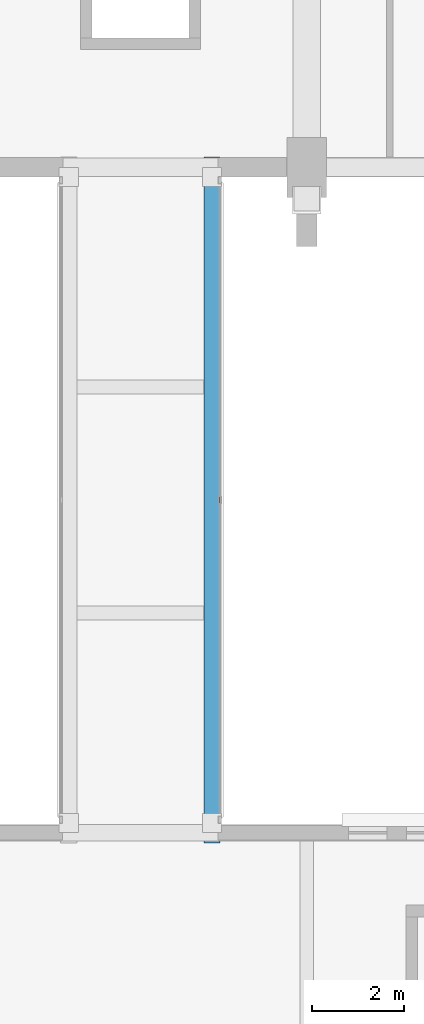
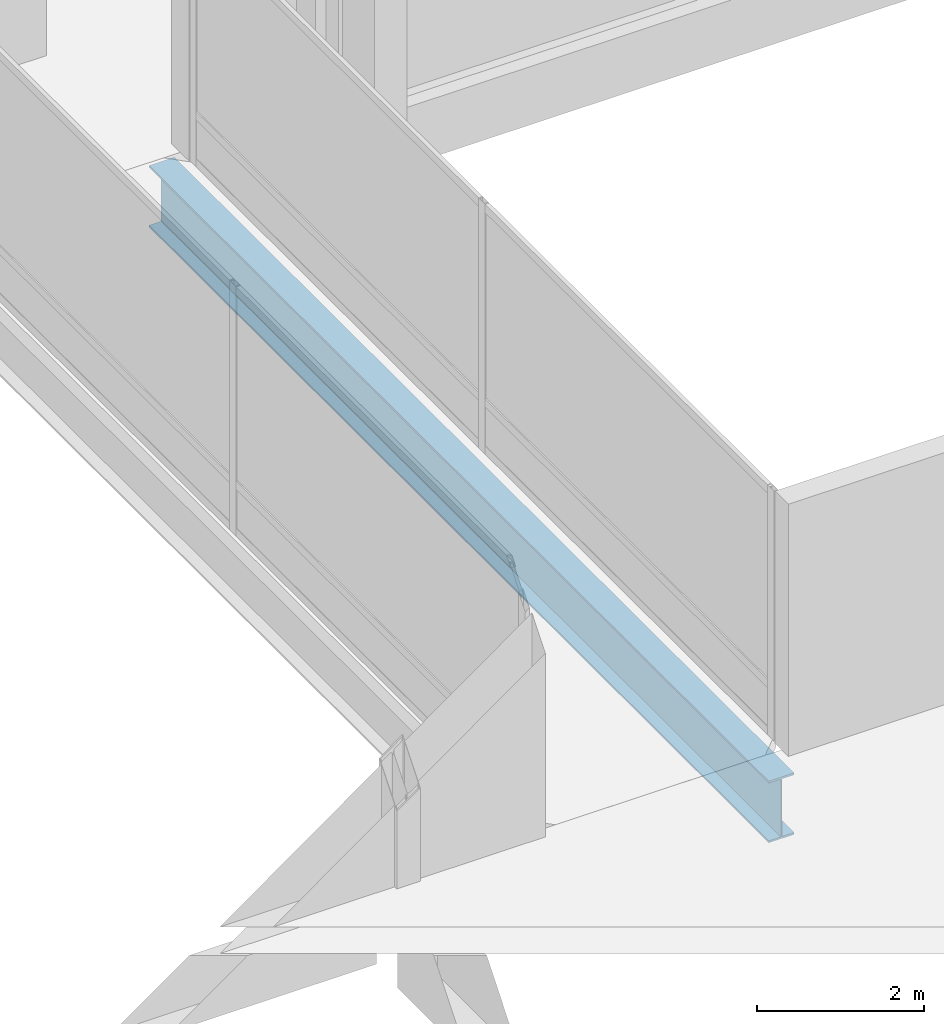
# One storey, part 28 of 220: 1 beam.
"""IFC4 building model written with IfcOpenShell, lengths in metres."""

from ifc_helpers import new_model, si_unit, direction, frame, origin, origin_2d, place, context, subcontext, project, spatial, i_section, extrude, material, material_profile, profile_set, type_object, element, save


model = new_model("IFC4")

# Units and contexts
model_context = context("Model", 3, precision=1e-05, world=origin(), true_north=direction((0.0, 1.0)))
body_context = subcontext(model_context, "Body", "Model", "MODEL_VIEW")
ifc_project = project(units=[si_unit("LENGTHUNIT", "METRE"), si_unit("AREAUNIT", "SQUARE_METRE"), si_unit("VOLUMEUNIT", "CUBIC_METRE"), si_unit("PLANEANGLEUNIT", "RADIAN"), si_unit("MASSUNIT", "GRAM", prefix="KILO")], contexts=[model_context])

# Site, building, storey
site_placement = place(None, origin())
site = spatial("IfcSite", under=ifc_project, at=site_placement, CompositionType="ELEMENT")
building_placement = place(site_placement, origin())
building = spatial("IfcBuilding", under=site, at=building_placement, Name="Cendralis Lancet Convention Centre", CompositionType="ELEMENT")
storey_placement = place(building_placement, frame((0.0, 0.0, 5.39990234375)))
storey = spatial("IfcBuildingStorey", under=building, at=storey_placement, Name="L01", CompositionType="ELEMENT", Elevation=5.39990234375)

# Beam
ifc_material = material(Name="Steel S355", Category="steel")
ifc_material_profile = material_profile(ifc_material, i_section(OverallWidth=0.35009765625, OverallDepth=0.89990234375, WebThickness=0.01611328125, FlangeThickness=0.028076171875, at=origin_2d()), Name="PG 900x350")
ifc_profile_set = profile_set([ifc_material_profile], Name="Steel S355")
beam_type = type_object("IfcBeamType", Name="STR-BM-SG05", PredefinedType="BEAM", material=ifc_profile_set)
beam_placement = place(storey_placement, frame((19.550048828125, 35.780029296875, -0.669921875), z_axis=(0.0, 1.0, 0.0), x_axis=(-1.0, 0.0, 0.0)))
element("IfcBeam", 1, at=beam_placement, inside=storey, type_object=beam_type, Name="L01 Beam SG05 #1921", PredefinedType="BEAM", context=body_context, shape_type="SweptSolid", body=[
    extrude(i_section(OverallWidth=0.35009765625, OverallDepth=0.89990234375, WebThickness=0.01611328125, FlangeThickness=0.028076171875, at=origin_2d()), origin(), (0.0, 0.0, 1.0), 14.840087890625),
])

save(model, "model.ifc")
